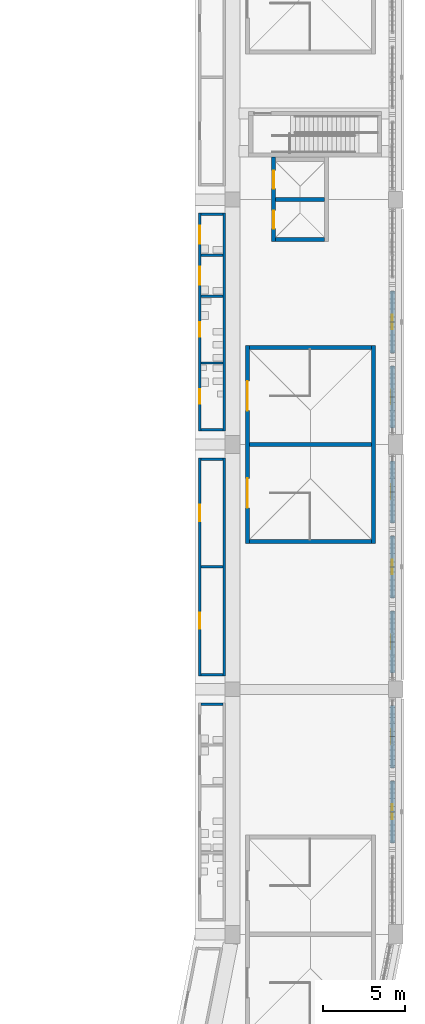
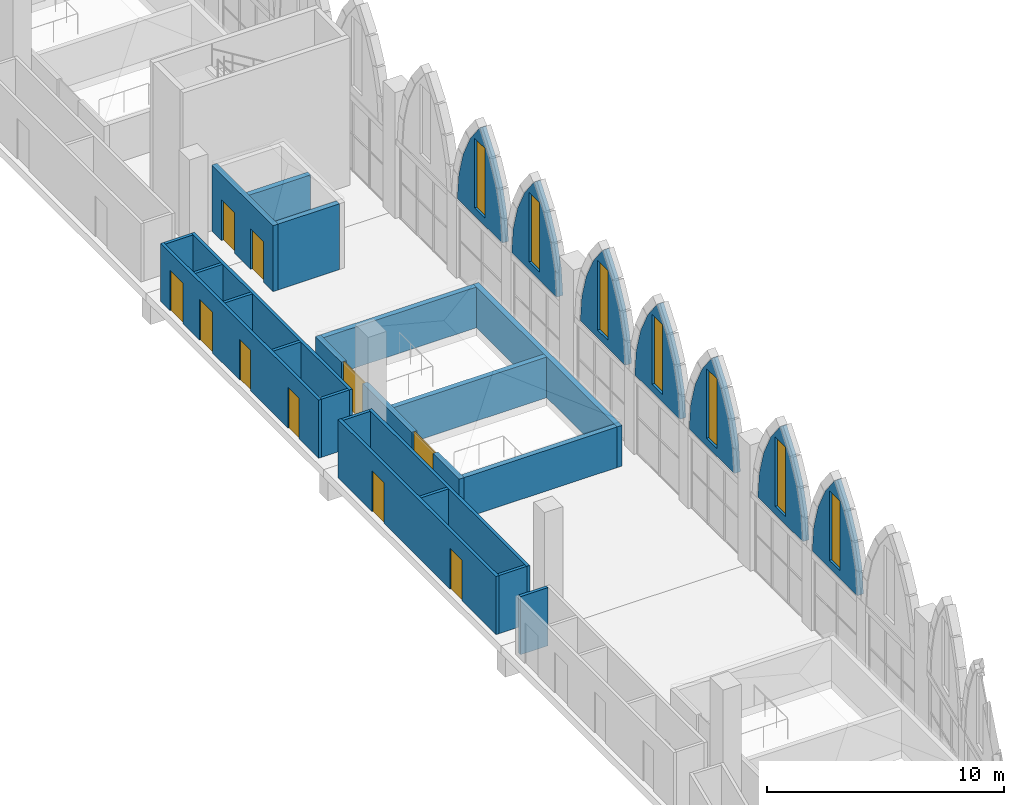
# One storey, part 74 of 130: 28 walls, 10 doors, 7 windows, 17 openings.
"""IFC4 building model written with IfcOpenShell, lengths in metres."""

from ifc_helpers import new_model, si_unit, direction, frame, frame_2d, origin, place, context, subcontext, project, spatial, polyline, rectangle, outline, extrude, material, layer, layer_set, type_object, element, fill, save


model = new_model("IFC4")

# Units and contexts
model_context = context("Model", 3, precision=1e-05, world=origin(), true_north=direction((0.0, 1.0)))
body_context = subcontext(model_context, "Body", "Model", "MODEL_VIEW")
ifc_project = project(units=[si_unit("LENGTHUNIT", "METRE"), si_unit("AREAUNIT", "SQUARE_METRE"), si_unit("VOLUMEUNIT", "CUBIC_METRE"), si_unit("PLANEANGLEUNIT", "RADIAN"), si_unit("MASSUNIT", "GRAM", prefix="KILO")], contexts=[model_context])

# Site, building, storey
site_placement = place(None, origin())
site = spatial("IfcSite", under=ifc_project, at=site_placement, CompositionType="ELEMENT")
building_placement = place(site_placement, origin())
building = spatial("IfcBuilding", under=site, at=building_placement, Name="Ogive Plaza Stadium", CompositionType="ELEMENT")
storey_placement = place(building_placement, frame((0.0, 0.0, 22.5)))
storey = spatial("IfcBuildingStorey", under=building, at=storey_placement, Name="L05", CompositionType="ELEMENT", Elevation=22.5)

# Wall, openings, doors
ifc_material_1 = material(Name="Masonry blockwork", Category="masonry")
ifc_layer_1 = layer(ifc_material_1, 0.14990234375)
ifc_layer_set_1 = layer_set([ifc_layer_1], Name="Blockwork wall 150")
wall_type_1 = type_object("IfcWallType", Name="Blockwork wall 150", PredefinedType="SOLIDWALL", material=ifc_layer_set_1)
wall_1_placement = place(storey_placement, frame((72.0, -23.324951171875, 0.0), z_axis=(0.0, 0.0, 1.0), x_axis=(0.0, -1.0, 0.0)))
wall_1 = element("IfcWall", 1, at=wall_1_placement, inside=storey, type_object=wall_type_1, Name="Wall L05 B06", PredefinedType="SOLIDWALL", context=body_context, shape_type="SweptSolid", body=[
    extrude(rectangle(XDim=13.35009765625, YDim=0.14990234375, at=frame_2d((6.675048828125, 0.0))), origin(), (0.0, 0.0, 1.0), 3.0),
])
opening_1_placement = place(wall_1_placement, frame((2.875, 0.0, 0.0)))
opening_1 = element("IfcOpeningElement", 2, at=opening_1_placement, cuts=wall_1, Name="Opening D0933", PredefinedType="OPENING", context=body_context, shape_type="SweptSolid", body=[
    extrude(rectangle(XDim=1.0, YDim=2.10009765625, at=frame_2d((0.5, 1.050048828125))), frame((0.0, 0.074951171875, 0.0), z_axis=(0.0, -1.0, 0.0), x_axis=(1.0, 0.0, 0.0)), (0.0, 0.0, 1.0), 0.14990234375),
])
opening_2_placement = place(wall_1_placement, frame((9.47509765625, 0.0, 0.0)))
opening_2 = element("IfcOpeningElement", 3, at=opening_2_placement, cuts=wall_1, Name="Opening D0934", PredefinedType="OPENING", context=body_context, shape_type="SweptSolid", body=[
    extrude(rectangle(XDim=1.0, YDim=2.10009765625, at=frame_2d((0.5, 1.050048828125))), frame((0.0, 0.074951171875, 0.0), z_axis=(0.0, -1.0, 0.0), x_axis=(1.0, 0.0, 0.0)), (0.0, 0.0, 1.0), 0.14990234375),
])
ifc_material_2 = material(Name="Steel ASTM A572 Grade 50", Category="steel")
door_type_1 = type_object("IfcDoorType", Name="Door 1000 x 2100", OperationType="SINGLE_SWING_LEFT", PredefinedType="DOOR", material=ifc_material_2)
door_1_placement = place(opening_1_placement, origin())
door_1 = element("IfcDoor", 4, at=door_1_placement, inside=storey, type_object=door_type_1, Name="Concession Stand B06 door", OperationType="SINGLE_SWING_LEFT", OverallHeight=2.10009765625, OverallWidth=1.0, PredefinedType="DOOR", context=body_context, shape_type="SweptSolid", body=[
    extrude(rectangle(XDim=1.0, YDim=2.10009765625, at=frame_2d((0.5, 1.050048828125))), frame((0.0, 0.02490234375, 0.0), z_axis=(0.0, -1.0, 0.0), x_axis=(1.0, 0.0, 0.0)), (0.0, 0.0, 1.0), 0.050048828125),
])
fill(opening_1, door_1)
door_2_placement = place(opening_2_placement, origin())
door_2 = element("IfcDoor", 5, at=door_2_placement, inside=storey, type_object=door_type_1, Name="Concession Stand B06 door", OperationType="SINGLE_SWING_RIGHT", OverallHeight=2.10009765625, OverallWidth=1.0, PredefinedType="DOOR", context=body_context, shape_type="SweptSolid", body=[
    extrude(rectangle(XDim=1.0, YDim=2.10009765625, at=frame_2d((0.5, 1.050048828125))), frame((0.0, 0.02490234375, 0.0), z_axis=(0.0, -1.0, 0.0), x_axis=(1.0, 0.0, 0.0)), (0.0, 0.0, 1.0), 0.050048828125),
])
fill(opening_2, door_2)

# Walls
wall_2_placement = place(storey_placement, frame((73.5, -23.324951171875, 0.0), z_axis=(0.0, 0.0, 1.0), x_axis=(0.0, -1.0, 0.0)))
element("IfcWall", 6, at=wall_2_placement, inside=storey, type_object=wall_type_1, Name="Wall L05 B06", PredefinedType="SOLIDWALL", context=body_context, shape_type="SweptSolid", body=[
    extrude(rectangle(XDim=13.35009765625, YDim=0.14990234375, at=frame_2d((6.675048828125, 0.0))), origin(), (0.0, 0.0, 1.0), 3.0),
])
for number, where, z_axis, x_axis, name in (
    (7, (72.074951171875, -23.39990234375, 0.0), (0.0, 0.0, 1.0), (1.0, 0.0, 0.0), "Wall L05 B06"),
    (8, (72.074951171875, -30.0, 0.0), (0.0, 0.0, 1.0), (1.0, 0.0, 0.0), "Wall L05 B06"),
    (9, (72.074951171875, -36.60009765625, 0.0), (0.0, 0.0, 1.0), (1.0, 0.0, 0.0), "Wall L05 B06"),
):
    element("IfcWall", number, at=place(storey_placement, frame(where, z_axis=z_axis, x_axis=x_axis)), inside=storey, type_object=wall_type_1, Name=name, PredefinedType="SOLIDWALL", context=body_context, shape_type="SweptSolid", body=[
        extrude(rectangle(XDim=1.35009765625, YDim=0.14990234375, at=frame_2d((0.675048828125, 0.0))), origin(), (0.0, 0.0, 1.0), 3.0),
    ])

# Wall, openings, doors
ifc_material_3 = material(Name="Concrete C40/50", Category="concrete")
ifc_layer_2 = layer(ifc_material_3, 0.25)
ifc_layer_set_2 = layer_set([ifc_layer_2], Name="Concrete C40/50")
wall_type_2 = type_object("IfcWallType", Name="Core wall 250", PredefinedType="SHEAR", material=ifc_layer_set_2)
wall_3_placement = place(storey_placement, frame((74.925048828125, -28.574951171875, 0.0), z_axis=(0.0, 0.0, 1.0), x_axis=(0.0, 1.0, 0.0)))
wall_3 = element("IfcWall", 10, at=wall_3_placement, inside=storey, type_object=wall_type_2, Name="Stair core R06 inner wall", PredefinedType="SHEAR", context=body_context, shape_type="SweptSolid", body=[
    extrude(rectangle(XDim=12.14990234375, YDim=0.25, at=frame_2d((6.074951171875, 0.0))), origin(), (0.0, 0.0, 1.0), 2.10009765625),
])
opening_3_placement = place(wall_3_placement, frame((2.199951171875, 0.0, 0.0)))
opening_3 = element("IfcOpeningElement", 11, at=opening_3_placement, cuts=wall_3, Name="Opening D0079", PredefinedType="OPENING", context=body_context, shape_type="SweptSolid", body=[
    extrude(rectangle(XDim=1.800048828125, YDim=2.10009765625, at=frame_2d((0.89990234375, 1.050048828125))), frame((0.0, 0.125, 0.0), z_axis=(0.0, -1.0, 0.0), x_axis=(1.0, 0.0, 0.0)), (0.0, 0.0, 1.0), 0.25),
])
opening_4_placement = place(wall_3_placement, frame((8.14990234375, 0.0, 0.0)))
opening_4 = element("IfcOpeningElement", 12, at=opening_4_placement, cuts=wall_3, Name="Opening D0080", PredefinedType="OPENING", context=body_context, shape_type="SweptSolid", body=[
    extrude(rectangle(XDim=1.800048828125, YDim=2.10009765625, at=frame_2d((0.89990234375, 1.050048828125))), frame((0.0, 0.125, 0.0), z_axis=(0.0, -1.0, 0.0), x_axis=(1.0, 0.0, 0.0)), (0.0, 0.0, 1.0), 0.25),
])
ifc_material_4 = material(Name="Steel ASTM A572 Grade 50", Category="steel")
door_type_2 = type_object("IfcDoorType", Name="Fire door FD90 pair 1800 x 2100", OperationType="DOUBLE_DOOR_SINGLE_SWING", PredefinedType="DOOR", material=ifc_material_4)
door_3_placement = place(opening_3_placement, origin())
door_3 = element("IfcDoor", 13, at=door_3_placement, inside=storey, type_object=door_type_2, Name="Exit stair R06A door L05", OperationType="DOUBLE_DOOR_SINGLE_SWING", OverallHeight=2.10009765625, OverallWidth=1.800048828125, PredefinedType="DOOR", context=body_context, shape_type="SweptSolid", body=[
    extrude(rectangle(XDim=1.800048828125, YDim=2.10009765625, at=frame_2d((0.89990234375, 1.050048828125))), frame((0.0, 0.02490234375, 0.0), z_axis=(0.0, -1.0, 0.0), x_axis=(1.0, 0.0, 0.0)), (0.0, 0.0, 1.0), 0.050048828125),
])
fill(opening_3, door_3)
door_4_placement = place(opening_4_placement, origin())
door_4 = element("IfcDoor", 14, at=door_4_placement, inside=storey, type_object=door_type_2, Name="Exit stair R06B door L05", OperationType="DOUBLE_DOOR_SINGLE_SWING", OverallHeight=2.10009765625, OverallWidth=1.800048828125, PredefinedType="DOOR", context=body_context, shape_type="SweptSolid", body=[
    extrude(rectangle(XDim=1.800048828125, YDim=2.10009765625, at=frame_2d((0.89990234375, 1.050048828125))), frame((0.0, 0.02490234375, 0.0), z_axis=(0.0, -1.0, 0.0), x_axis=(1.0, 0.0, 0.0)), (0.0, 0.0, 1.0), 0.050048828125),
])
fill(opening_4, door_4)

# Walls
wall_4_placement = place(storey_placement, frame((82.635009765625, -28.574951171875, 0.0), z_axis=(0.0, 0.0, 1.0), x_axis=(0.0, 1.0, 0.0)))
element("IfcWall", 15, at=wall_4_placement, inside=storey, type_object=wall_type_2, Name="Stair core R06 outer wall", PredefinedType="SHEAR", context=body_context, shape_type="SweptSolid", body=[
    extrude(rectangle(XDim=12.14990234375, YDim=0.25, at=frame_2d((6.074951171875, 0.0))), origin(), (0.0, 0.0, 1.0), 2.10009765625),
])
for number, where, z_axis, x_axis, name in (
    (16, (75.050048828125, -28.449951171875, 0.0), (0.0, 0.0, 1.0), (1.0, 0.0, 0.0), "Stair core R06 side wall"),
    (17, (75.050048828125, -16.550048828125, 0.0), (0.0, 0.0, 1.0), (1.0, 0.0, 0.0), "Stair core R06 side wall"),
    (18, (75.050048828125, -22.5, 0.0), (0.0, 0.0, 1.0), (1.0, 0.0, 0.0), "Stair core R06 centre wall"),
):
    element("IfcWall", number, at=place(storey_placement, frame(where, z_axis=z_axis, x_axis=x_axis)), inside=storey, type_object=wall_type_2, Name=name, PredefinedType="SHEAR", context=body_context, shape_type="SweptSolid", body=[
        extrude(rectangle(XDim=7.4599609375, YDim=0.25, at=frame_2d((3.72998046875, 0.0))), origin(), (0.0, 0.0, 1.0), 2.10009765625),
    ])

# Wall, openings, doors
ifc_material_5 = material(Name="Concrete C40/50", Category="concrete")
ifc_layer_3 = layer(ifc_material_5, 0.25)
ifc_layer_set_3 = layer_set([ifc_layer_3], Name="Concrete C40/50")
wall_type_3 = type_object("IfcWallType", Name="Core wall 250 A", PredefinedType="SHEAR", material=ifc_layer_set_3)
wall_5_placement = place(storey_placement, frame((76.52490234375, -10.074951171875, 0.0), z_axis=(0.0, 0.0, 1.0), x_axis=(0.0, 1.0, 0.0)))
wall_5 = element("IfcWall", 19, at=wall_5_placement, inside=storey, type_object=wall_type_3, Name="Lift core LP05 landing wall", PredefinedType="SHEAR", context=body_context, shape_type="SweptSolid", body=[
    extrude(rectangle(XDim=5.175048828125, YDim=0.25, at=frame_2d((2.58740234375, 0.0))), origin(), (0.0, 0.0, 1.0), 3.39990234375),
])
opening_5_placement = place(wall_5_placement, frame((0.800048828125, 0.0, 0.0)))
opening_5 = element("IfcOpeningElement", 20, at=opening_5_placement, cuts=wall_5, Name="Opening LD019", PredefinedType="OPENING", context=body_context, shape_type="SweptSolid", body=[
    extrude(rectangle(XDim=1.10009765625, YDim=2.10009765625, at=frame_2d((0.550048828125, 1.050048828125))), frame((0.0, 0.125, 0.0), z_axis=(0.0, -1.0, 0.0), x_axis=(1.0, 0.0, 0.0)), (0.0, 0.0, 1.0), 0.25),
])
opening_6_placement = place(wall_5_placement, frame((3.25, 0.0, 0.0)))
opening_6 = element("IfcOpeningElement", 21, at=opening_6_placement, cuts=wall_5, Name="Opening LD020", PredefinedType="OPENING", context=body_context, shape_type="SweptSolid", body=[
    extrude(rectangle(XDim=1.10009765625, YDim=2.10009765625, at=frame_2d((0.550048828125, 1.050048828125))), frame((0.0, 0.125, 0.0), z_axis=(0.0, -1.0, 0.0), x_axis=(1.0, 0.0, 0.0)), (0.0, 0.0, 1.0), 0.25),
])
ifc_material_6 = material(Name="Steel ASTM A572 Grade 50", Category="steel")
door_type_3 = type_object("IfcDoorType", Name="Landing door 1100 x 2100", OperationType="SLIDING_TO_LEFT", PredefinedType="DOOR", material=ifc_material_6)
door_5_placement = place(opening_5_placement, origin())
door_5 = element("IfcDoor", 22, at=door_5_placement, inside=storey, type_object=door_type_3, Name="Lift landing door LP05 L05", OperationType="SLIDING_TO_LEFT", OverallHeight=2.10009765625, OverallWidth=1.10009765625, PredefinedType="DOOR", context=body_context, shape_type="SweptSolid", body=[
    extrude(rectangle(XDim=1.10009765625, YDim=2.10009765625, at=frame_2d((0.550048828125, 1.050048828125))), frame((0.0, 0.02490234375, 0.0), z_axis=(0.0, -1.0, 0.0), x_axis=(1.0, 0.0, 0.0)), (0.0, 0.0, 1.0), 0.050048828125),
])
fill(opening_5, door_5)
door_6_placement = place(opening_6_placement, origin())
door_6 = element("IfcDoor", 23, at=door_6_placement, inside=storey, type_object=door_type_3, Name="Lift landing door LP05 L05", OperationType="SLIDING_TO_LEFT", OverallHeight=2.10009765625, OverallWidth=1.10009765625, PredefinedType="DOOR", context=body_context, shape_type="SweptSolid", body=[
    extrude(rectangle(XDim=1.10009765625, YDim=2.10009765625, at=frame_2d((0.550048828125, 1.050048828125))), frame((0.0, 0.02490234375, 0.0), z_axis=(0.0, -1.0, 0.0), x_axis=(1.0, 0.0, 0.0)), (0.0, 0.0, 1.0), 0.050048828125),
])
fill(opening_6, door_6)

# Walls
for number, where, z_axis, x_axis, name in (
    (24, (76.64990234375, -9.949951171875, 0.0), (0.0, 0.0, 1.0), (1.0, 0.0, 0.0), "Lift core LP05 side wall"),
    (25, (76.64990234375, -7.5, 0.0), (0.0, 0.0, 1.0), (1.0, 0.0, 0.0), "Lift core LP05 centre wall"),
):
    element("IfcWall", number, at=place(storey_placement, frame(where, z_axis=z_axis, x_axis=x_axis)), inside=storey, type_object=wall_type_3, Name=name, PredefinedType="SHEAR", context=body_context, shape_type="SweptSolid", body=[
        extrude(rectangle(XDim=3.0, YDim=0.25, at=frame_2d((1.5, 0.0))), origin(), (0.0, 0.0, 1.0), 3.39990234375),
    ])

# Wall, openings, doors
ifc_material_7 = material(Name="Gypsum board partition", Category="gypsum")
ifc_layer_4 = layer(ifc_material_7, 0.14990234375)
ifc_layer_set_4 = layer_set([ifc_layer_4], Name="Partition 150")
wall_type_4 = type_object("IfcWallType", Name="Partition 150", PredefinedType="PARTITIONING", material=ifc_layer_set_4)
wall_6_placement = place(storey_placement, frame((72.0, -21.675048828125, 0.0), z_axis=(0.0, 0.0, 1.0), x_axis=(0.0, 1.0, 0.0)))
wall_6 = element("IfcWall", 26, at=wall_6_placement, inside=storey, type_object=wall_type_4, Name="Wall L05 B05", PredefinedType="PARTITIONING", context=body_context, shape_type="SweptSolid", body=[
    extrude(rectangle(XDim=13.35009765625, YDim=0.14990234375, at=frame_2d((6.675048828125, 0.0))), origin(), (0.0, 0.0, 1.0), 3.0),
])
opening_7_placement = place(wall_6_placement, frame((1.6708984375, 0.0, 0.0)))
opening_7 = element("IfcOpeningElement", 27, at=opening_7_placement, cuts=wall_6, Name="Opening D0929", PredefinedType="OPENING", context=body_context, shape_type="SweptSolid", body=[
    extrude(rectangle(XDim=0.89990234375, YDim=2.10009765625, at=frame_2d((0.449951171875, 1.050048828125))), frame((0.0, 0.074951171875, 0.0), z_axis=(0.0, -1.0, 0.0), x_axis=(1.0, 0.0, 0.0)), (0.0, 0.0, 1.0), 0.14990234375),
])
opening_8_placement = place(wall_6_placement, frame((5.762939453125, 0.0, 0.0)))
opening_8 = element("IfcOpeningElement", 28, at=opening_8_placement, cuts=wall_6, Name="Opening D0930", PredefinedType="OPENING", context=body_context, shape_type="SweptSolid", body=[
    extrude(rectangle(XDim=0.89990234375, YDim=2.10009765625, at=frame_2d((0.449951171875, 1.050048828125))), frame((0.0, 0.074951171875, 0.0), z_axis=(0.0, -1.0, 0.0), x_axis=(1.0, 0.0, 0.0)), (0.0, 0.0, 1.0), 0.14990234375),
])
opening_9_placement = place(wall_6_placement, frame((8.962890625, 0.0, 0.0)))
opening_9 = element("IfcOpeningElement", 29, at=opening_9_placement, cuts=wall_6, Name="Opening D0931", PredefinedType="OPENING", context=body_context, shape_type="SweptSolid", body=[
    extrude(rectangle(XDim=1.10009765625, YDim=2.10009765625, at=frame_2d((0.550048828125, 1.050048828125))), frame((0.0, 0.074951171875, 0.0), z_axis=(0.0, -1.0, 0.0), x_axis=(1.0, 0.0, 0.0)), (0.0, 0.0, 1.0), 0.14990234375),
])
opening_10_placement = place(wall_6_placement, frame((11.470947265625, 0.0, 0.0)))
opening_10 = element("IfcOpeningElement", 30, at=opening_10_placement, cuts=wall_6, Name="Opening D0932", PredefinedType="OPENING", context=body_context, shape_type="SweptSolid", body=[
    extrude(rectangle(XDim=1.10009765625, YDim=2.10009765625, at=frame_2d((0.550048828125, 1.050048828125))), frame((0.0, 0.074951171875, 0.0), z_axis=(0.0, -1.0, 0.0), x_axis=(1.0, 0.0, 0.0)), (0.0, 0.0, 1.0), 0.14990234375),
])
ifc_material_8 = material(Name="Steel ASTM A572 Grade 50", Category="steel")
door_type_4 = type_object("IfcDoorType", Name="Accessible door 1100 x 2100", OperationType="SINGLE_SWING_LEFT", PredefinedType="DOOR", material=ifc_material_8)
door_7_placement = place(opening_9_placement, origin())
door_7 = element("IfcDoor", 31, at=door_7_placement, inside=storey, type_object=door_type_4, Name="Accessible WC B05 door", OperationType="SINGLE_SWING_RIGHT", OverallHeight=2.10009765625, OverallWidth=1.10009765625, PredefinedType="DOOR", context=body_context, shape_type="SweptSolid", body=[
    extrude(rectangle(XDim=1.10009765625, YDim=2.10009765625, at=frame_2d((0.550048828125, 1.050048828125))), frame((0.0, 0.02490234375, 0.0), z_axis=(0.0, -1.0, 0.0), x_axis=(1.0, 0.0, 0.0)), (0.0, 0.0, 1.0), 0.050048828125),
])
fill(opening_9, door_7)
door_8_placement = place(opening_10_placement, origin())
door_8 = element("IfcDoor", 32, at=door_8_placement, inside=storey, type_object=door_type_4, Name="Family WC B05 door", OperationType="SINGLE_SWING_LEFT", OverallHeight=2.10009765625, OverallWidth=1.10009765625, PredefinedType="DOOR", context=body_context, shape_type="SweptSolid", body=[
    extrude(rectangle(XDim=1.10009765625, YDim=2.10009765625, at=frame_2d((0.550048828125, 1.050048828125))), frame((0.0, 0.02490234375, 0.0), z_axis=(0.0, -1.0, 0.0), x_axis=(1.0, 0.0, 0.0)), (0.0, 0.0, 1.0), 0.050048828125),
])
fill(opening_10, door_8)
ifc_material_9 = material(Name="Steel ASTM A572 Grade 50", Category="steel")
door_type_5 = type_object("IfcDoorType", Name="Door 900 x 2100", OperationType="SINGLE_SWING_LEFT", PredefinedType="DOOR", material=ifc_material_9)
door_9_placement = place(opening_7_placement, origin())
door_9 = element("IfcDoor", 33, at=door_9_placement, inside=storey, type_object=door_type_5, Name="Men's Toilet B05 door", OperationType="SINGLE_SWING_RIGHT", OverallHeight=2.10009765625, OverallWidth=0.89990234375, PredefinedType="DOOR", context=body_context, shape_type="SweptSolid", body=[
    extrude(rectangle(XDim=0.89990234375, YDim=2.10009765625, at=frame_2d((0.449951171875, 1.050048828125))), frame((0.0, 0.02490234375, 0.0), z_axis=(0.0, -1.0, 0.0), x_axis=(1.0, 0.0, 0.0)), (0.0, 0.0, 1.0), 0.050048828125),
])
fill(opening_7, door_9)
door_10_placement = place(opening_8_placement, origin())
door_10 = element("IfcDoor", 34, at=door_10_placement, inside=storey, type_object=door_type_5, Name="Women's Toilet B05 door", OperationType="SINGLE_SWING_LEFT", OverallHeight=2.10009765625, OverallWidth=0.89990234375, PredefinedType="DOOR", context=body_context, shape_type="SweptSolid", body=[
    extrude(rectangle(XDim=0.89990234375, YDim=2.10009765625, at=frame_2d((0.449951171875, 1.050048828125))), frame((0.0, 0.02490234375, 0.0), z_axis=(0.0, -1.0, 0.0), x_axis=(1.0, 0.0, 0.0)), (0.0, 0.0, 1.0), 0.050048828125),
])
fill(opening_8, door_10)

# Walls
wall_7_placement = place(storey_placement, frame((73.5, -21.675048828125, 0.0), z_axis=(0.0, 0.0, 1.0), x_axis=(0.0, 1.0, 0.0)))
element("IfcWall", 35, at=wall_7_placement, inside=storey, type_object=wall_type_4, Name="Wall L05 B05", PredefinedType="PARTITIONING", context=body_context, shape_type="SweptSolid", body=[
    extrude(rectangle(XDim=13.35009765625, YDim=0.14990234375, at=frame_2d((6.675048828125, 0.0))), origin(), (0.0, 0.0, 1.0), 3.0),
])
for number, where, z_axis, x_axis, name in (
    (36, (72.074951171875, -21.60009765625, 0.0), (0.0, 0.0, 1.0), (1.0, 0.0, 0.0), "Wall L05 B05"),
    (37, (72.074951171875, -17.508056640625, 0.0), (0.0, 0.0, 1.0), (1.0, 0.0, 0.0), "Wall L05 B05"),
    (38, (72.074951171875, -13.416015625, 0.0), (0.0, 0.0, 1.0), (1.0, 0.0, 0.0), "Wall L05 B05"),
    (39, (72.074951171875, -10.907958984375, 0.0), (0.0, 0.0, 1.0), (1.0, 0.0, 0.0), "Wall L05 B05"),
    (40, (72.074951171875, -8.39990234375, 0.0), (0.0, 0.0, 1.0), (1.0, 0.0, 0.0), "Wall L05 B05"),
    (41, (72.074951171875, -38.39990234375, 0.0), (0.0, 0.0, 1.0), (1.0, 0.0, 0.0), "Wall L05 B07"),
):
    element("IfcWall", number, at=place(storey_placement, frame(where, z_axis=z_axis, x_axis=x_axis)), inside=storey, type_object=wall_type_4, Name=name, PredefinedType="PARTITIONING", context=body_context, shape_type="SweptSolid", body=[
        extrude(rectangle(XDim=1.35009765625, YDim=0.14990234375, at=frame_2d((0.675048828125, 0.0))), origin(), (0.0, 0.0, 1.0), 3.0),
    ])

# Wall, opening, window
ifc_material_10 = material(Name="Concrete C45/55 precast", Category="concrete")
ifc_layer_5 = layer(ifc_material_10, 0.25)
ifc_material_11 = material(Name="Cast stone (reconstituted limestone)", Category="masonry")
ifc_layer_6 = layer(ifc_material_11, 0.050048828125)
ifc_layer_set_5 = layer_set([ifc_layer_5, ifc_layer_6], Name="Concrete C45/55 precast, cast stone facing")
wall_type_5 = type_object("IfcWallType", Name="Tympanum wall 300", PredefinedType="SOLIDWALL", material=ifc_layer_set_5)
wall_8_placement = place(storey_placement, frame((83.800048828125, -13.10009765625, 4.10009765625), z_axis=(0.0, 0.0, 1.0), x_axis=(0.0, -1.0, 0.0)))
wall_8 = element("IfcWall", 42, at=wall_8_placement, inside=storey, type_object=wall_type_5, Name="TYMPANUM B05 2", PredefinedType="SOLIDWALL", context=body_context, shape_type="SweptSolid", body=[
    extrude(outline(polyline([(0.0, 0.0), (3.7998046875, 0.0), (3.800048828125, 0.0498046875), (3.67578125, 1.313720703125), (3.3076171875, 2.5810546875), (2.708740234375, 3.757080078125), (1.89990234375, 4.7998046875), (1.09130859375, 3.757080078125), (0.4921875, 2.5810546875), (0.124267578125, 1.313720703125), (0.0, 0.0498046875), (0.0, 0.0)])), frame((0.0, 0.14990234375, 0.0), z_axis=(0.0, -1.0, 0.0), x_axis=(1.0, 0.0, 0.0)), (0.0, 0.0, 1.0), 0.300048828125),
])
opening_11_placement = place(wall_8_placement, frame((1.449951171875, 0.0, 0.39990234375)))
opening_11 = element("IfcOpeningElement", 43, at=opening_11_placement, cuts=wall_8, Name="Opening W-05-2", PredefinedType="OPENING", context=body_context, shape_type="SweptSolid", body=[
    extrude(rectangle(XDim=0.89990234375, YDim=3.60009765625, at=frame_2d((0.449951171875, 1.800048828125))), frame((0.0, 0.16015625, 0.0), z_axis=(0.0, -1.0, 0.0), x_axis=(1.0, 0.0, 0.0)), (0.0, 0.0, 1.0), 0.320068359375),
])
ifc_material_12 = material(Name="Bronze-anodised aluminium and laminated glass", Category="aluminium")
window_type = type_object("IfcWindowType", Name="Lancet window 900 x 3600", PartitioningType="SINGLE_PANEL", PredefinedType="WINDOW", material=ifc_material_12)
window_1_placement = place(opening_11_placement, origin())
window_1 = element("IfcWindow", 44, at=window_1_placement, inside=storey, type_object=window_type, Name="LANCET WINDOW B05 2", OverallHeight=3.60009765625, OverallWidth=0.89990234375, PartitioningType="SINGLE_PANEL", PredefinedType="WINDOW", context=body_context, shape_type="SweptSolid", body=[
    extrude(rectangle(XDim=0.89990234375, YDim=3.60009765625, at=frame_2d((0.449951171875, 1.800048828125))), frame((0.0, 0.030029296875, 0.0), z_axis=(0.0, -1.0, 0.0), x_axis=(1.0, 0.0, 0.0)), (0.0, 0.0, 1.0), 0.06005859375),
])
fill(opening_11, window_1)

wall_9_placement = place(storey_placement, frame((83.800048828125, -17.699951171875, 4.10009765625), z_axis=(0.0, 0.0, 1.0), x_axis=(0.0, -1.0, 0.0)))
wall_9 = element("IfcWall", 45, at=wall_9_placement, inside=storey, type_object=wall_type_5, Name="TYMPANUM B05 3", PredefinedType="SOLIDWALL", context=body_context, shape_type="SweptSolid", body=[
    extrude(outline(polyline([(0.0, 0.0), (3.800048828125, 0.0), (3.800048828125, 0.0498046875), (3.67578125, 1.313720703125), (3.3076171875, 2.5810546875), (2.708740234375, 3.757080078125), (1.89990234375, 4.7998046875), (1.09130859375, 3.757080078125), (0.4921875, 2.5810546875), (0.124267578125, 1.313720703125), (0.0, 0.0498046875), (0.0, 0.0)])), frame((0.0, 0.14990234375, 0.0), z_axis=(0.0, -1.0, 0.0), x_axis=(1.0, 0.0, 0.0)), (0.0, 0.0, 1.0), 0.300048828125),
])
opening_12_placement = place(wall_9_placement, frame((1.449951171875, 0.0, 0.39990234375)))
opening_12 = element("IfcOpeningElement", 46, at=opening_12_placement, cuts=wall_9, Name="Opening W-05-3", PredefinedType="OPENING", context=body_context, shape_type="SweptSolid", body=[
    extrude(rectangle(XDim=0.89990234375, YDim=3.60009765625, at=frame_2d((0.449951171875, 1.800048828125))), frame((0.0, 0.16015625, 0.0), z_axis=(0.0, -1.0, 0.0), x_axis=(1.0, 0.0, 0.0)), (0.0, 0.0, 1.0), 0.320068359375),
])
window_2_placement = place(opening_12_placement, origin())
window_2 = element("IfcWindow", 47, at=window_2_placement, inside=storey, type_object=window_type, Name="LANCET WINDOW B05 3", OverallHeight=3.60009765625, OverallWidth=0.89990234375, PartitioningType="SINGLE_PANEL", PredefinedType="WINDOW", context=body_context, shape_type="SweptSolid", body=[
    extrude(rectangle(XDim=0.89990234375, YDim=3.60009765625, at=frame_2d((0.449951171875, 1.800048828125))), frame((0.0, 0.030029296875, 0.0), z_axis=(0.0, -1.0, 0.0), x_axis=(1.0, 0.0, 0.0)), (0.0, 0.0, 1.0), 0.06005859375),
])
fill(opening_12, window_2)

wall_10_placement = place(storey_placement, frame((83.800048828125, -23.5, 4.10009765625), z_axis=(0.0, 0.0, 1.0), x_axis=(0.0, -1.0, 0.0)))
wall_10 = element("IfcWall", 48, at=wall_10_placement, inside=storey, type_object=wall_type_5, Name="TYMPANUM B06 1", PredefinedType="SOLIDWALL", context=body_context, shape_type="SweptSolid", body=[
    extrude(outline(polyline([(0.0, 0.0), (3.800048828125, 0.0), (3.800048828125, 0.0498046875), (3.67578125, 1.313720703125), (3.3076171875, 2.5810546875), (2.708740234375, 3.757080078125), (1.89990234375, 4.7998046875), (1.09130859375, 3.757080078125), (0.4921875, 2.5810546875), (0.124267578125, 1.313720703125), (0.0, 0.0498046875), (0.0, 0.0)])), frame((0.0, 0.14990234375, 0.0), z_axis=(0.0, -1.0, 0.0), x_axis=(1.0, 0.0, 0.0)), (0.0, 0.0, 1.0), 0.300048828125),
])
opening_13_placement = place(wall_10_placement, frame((1.449951171875, 0.0, 0.39990234375)))
opening_13 = element("IfcOpeningElement", 49, at=opening_13_placement, cuts=wall_10, Name="Opening W-06-1", PredefinedType="OPENING", context=body_context, shape_type="SweptSolid", body=[
    extrude(rectangle(XDim=0.89990234375, YDim=3.60009765625, at=frame_2d((0.449951171875, 1.800048828125))), frame((0.0, 0.16015625, 0.0), z_axis=(0.0, -1.0, 0.0), x_axis=(1.0, 0.0, 0.0)), (0.0, 0.0, 1.0), 0.320068359375),
])
window_3_placement = place(opening_13_placement, origin())
window_3 = element("IfcWindow", 50, at=window_3_placement, inside=storey, type_object=window_type, Name="LANCET WINDOW B06 1", OverallHeight=3.60009765625, OverallWidth=0.89990234375, PartitioningType="SINGLE_PANEL", PredefinedType="WINDOW", context=body_context, shape_type="SweptSolid", body=[
    extrude(rectangle(XDim=0.89990234375, YDim=3.60009765625, at=frame_2d((0.449951171875, 1.800048828125))), frame((0.0, 0.030029296875, 0.0), z_axis=(0.0, -1.0, 0.0), x_axis=(1.0, 0.0, 0.0)), (0.0, 0.0, 1.0), 0.06005859375),
])
fill(opening_13, window_3)

wall_11_placement = place(storey_placement, frame((83.800048828125, -28.10009765625, 4.10009765625), z_axis=(0.0, 0.0, 1.0), x_axis=(0.0, -1.0, 0.0)))
wall_11 = element("IfcWall", 51, at=wall_11_placement, inside=storey, type_object=wall_type_5, Name="TYMPANUM B06 2", PredefinedType="SOLIDWALL", context=body_context, shape_type="SweptSolid", body=[
    extrude(outline(polyline([(0.0, 0.0), (3.7998046875, 0.0), (3.800048828125, 0.0498046875), (3.67578125, 1.313720703125), (3.3076171875, 2.5810546875), (2.708740234375, 3.757080078125), (1.89990234375, 4.7998046875), (1.09130859375, 3.757080078125), (0.4921875, 2.5810546875), (0.124267578125, 1.313720703125), (0.0, 0.0498046875), (0.0, 0.0)])), frame((0.0, 0.14990234375, 0.0), z_axis=(0.0, -1.0, 0.0), x_axis=(1.0, 0.0, 0.0)), (0.0, 0.0, 1.0), 0.300048828125),
])
opening_14_placement = place(wall_11_placement, frame((1.449951171875, 0.0, 0.39990234375)))
opening_14 = element("IfcOpeningElement", 52, at=opening_14_placement, cuts=wall_11, Name="Opening W-06-2", PredefinedType="OPENING", context=body_context, shape_type="SweptSolid", body=[
    extrude(rectangle(XDim=0.89990234375, YDim=3.60009765625, at=frame_2d((0.449951171875, 1.800048828125))), frame((0.0, 0.16015625, 0.0), z_axis=(0.0, -1.0, 0.0), x_axis=(1.0, 0.0, 0.0)), (0.0, 0.0, 1.0), 0.320068359375),
])
window_4_placement = place(opening_14_placement, origin())
window_4 = element("IfcWindow", 53, at=window_4_placement, inside=storey, type_object=window_type, Name="LANCET WINDOW B06 2", OverallHeight=3.60009765625, OverallWidth=0.89990234375, PartitioningType="SINGLE_PANEL", PredefinedType="WINDOW", context=body_context, shape_type="SweptSolid", body=[
    extrude(rectangle(XDim=0.89990234375, YDim=3.60009765625, at=frame_2d((0.449951171875, 1.800048828125))), frame((0.0, 0.030029296875, 0.0), z_axis=(0.0, -1.0, 0.0), x_axis=(1.0, 0.0, 0.0)), (0.0, 0.0, 1.0), 0.06005859375),
])
fill(opening_14, window_4)

wall_12_placement = place(storey_placement, frame((83.800048828125, -32.699951171875, 4.10009765625), z_axis=(0.0, 0.0, 1.0), x_axis=(0.0, -1.0, 0.0)))
wall_12 = element("IfcWall", 54, at=wall_12_placement, inside=storey, type_object=wall_type_5, Name="TYMPANUM B06 3", PredefinedType="SOLIDWALL", context=body_context, shape_type="SweptSolid", body=[
    extrude(outline(polyline([(0.0, 0.0), (3.800048828125, 0.0), (3.800048828125, 0.0498046875), (3.67578125, 1.313720703125), (3.3076171875, 2.5810546875), (2.708740234375, 3.757080078125), (1.89990234375, 4.7998046875), (1.09130859375, 3.757080078125), (0.4921875, 2.5810546875), (0.124267578125, 1.313720703125), (0.0, 0.0498046875), (0.0, 0.0)])), frame((0.0, 0.14990234375, 0.0), z_axis=(0.0, -1.0, 0.0), x_axis=(1.0, 0.0, 0.0)), (0.0, 0.0, 1.0), 0.300048828125),
])
opening_15_placement = place(wall_12_placement, frame((1.449951171875, 0.0, 0.39990234375)))
opening_15 = element("IfcOpeningElement", 55, at=opening_15_placement, cuts=wall_12, Name="Opening W-06-3", PredefinedType="OPENING", context=body_context, shape_type="SweptSolid", body=[
    extrude(rectangle(XDim=0.89990234375, YDim=3.60009765625, at=frame_2d((0.449951171875, 1.800048828125))), frame((0.0, 0.16015625, 0.0), z_axis=(0.0, -1.0, 0.0), x_axis=(1.0, 0.0, 0.0)), (0.0, 0.0, 1.0), 0.320068359375),
])
window_5_placement = place(opening_15_placement, origin())
window_5 = element("IfcWindow", 56, at=window_5_placement, inside=storey, type_object=window_type, Name="LANCET WINDOW B06 3", OverallHeight=3.60009765625, OverallWidth=0.89990234375, PartitioningType="SINGLE_PANEL", PredefinedType="WINDOW", context=body_context, shape_type="SweptSolid", body=[
    extrude(rectangle(XDim=0.89990234375, YDim=3.60009765625, at=frame_2d((0.449951171875, 1.800048828125))), frame((0.0, 0.030029296875, 0.0), z_axis=(0.0, -1.0, 0.0), x_axis=(1.0, 0.0, 0.0)), (0.0, 0.0, 1.0), 0.06005859375),
])
fill(opening_15, window_5)

wall_13_placement = place(storey_placement, frame((83.800048828125, -38.5, 4.10009765625), z_axis=(0.0, 0.0, 1.0), x_axis=(0.0, -1.0, 0.0)))
wall_13 = element("IfcWall", 57, at=wall_13_placement, inside=storey, type_object=wall_type_5, Name="TYMPANUM B07 1", PredefinedType="SOLIDWALL", context=body_context, shape_type="SweptSolid", body=[
    extrude(outline(polyline([(0.0, 0.0), (3.800048828125, 0.0), (3.800048828125, 0.0498046875), (3.67578125, 1.313720703125), (3.3076171875, 2.5810546875), (2.708740234375, 3.757080078125), (1.89990234375, 4.7998046875), (1.09130859375, 3.757080078125), (0.4921875, 2.5810546875), (0.124267578125, 1.313720703125), (0.0, 0.0498046875), (0.0, 0.0)])), frame((0.0, 0.14990234375, 0.0), z_axis=(0.0, -1.0, 0.0), x_axis=(1.0, 0.0, 0.0)), (0.0, 0.0, 1.0), 0.300048828125),
])
opening_16_placement = place(wall_13_placement, frame((1.449951171875, 0.0, 0.39990234375)))
opening_16 = element("IfcOpeningElement", 58, at=opening_16_placement, cuts=wall_13, Name="Opening W-07-1", PredefinedType="OPENING", context=body_context, shape_type="SweptSolid", body=[
    extrude(rectangle(XDim=0.89990234375, YDim=3.60009765625, at=frame_2d((0.449951171875, 1.800048828125))), frame((0.0, 0.16015625, 0.0), z_axis=(0.0, -1.0, 0.0), x_axis=(1.0, 0.0, 0.0)), (0.0, 0.0, 1.0), 0.320068359375),
])
window_6_placement = place(opening_16_placement, origin())
window_6 = element("IfcWindow", 59, at=window_6_placement, inside=storey, type_object=window_type, Name="LANCET WINDOW B07 1", OverallHeight=3.60009765625, OverallWidth=0.89990234375, PartitioningType="SINGLE_PANEL", PredefinedType="WINDOW", context=body_context, shape_type="SweptSolid", body=[
    extrude(rectangle(XDim=0.89990234375, YDim=3.60009765625, at=frame_2d((0.449951171875, 1.800048828125))), frame((0.0, 0.030029296875, 0.0), z_axis=(0.0, -1.0, 0.0), x_axis=(1.0, 0.0, 0.0)), (0.0, 0.0, 1.0), 0.06005859375),
])
fill(opening_16, window_6)

wall_14_placement = place(storey_placement, frame((83.800048828125, -43.10009765625, 4.10009765625), z_axis=(0.0, 0.0, 1.0), x_axis=(0.0, -1.0, 0.0)))
wall_14 = element("IfcWall", 60, at=wall_14_placement, inside=storey, type_object=wall_type_5, Name="TYMPANUM B07 2", PredefinedType="SOLIDWALL", context=body_context, shape_type="SweptSolid", body=[
    extrude(outline(polyline([(0.0, 0.0), (3.7998046875, 0.0), (3.800048828125, 0.0498046875), (3.67578125, 1.313720703125), (3.3076171875, 2.5810546875), (2.708740234375, 3.757080078125), (1.89990234375, 4.7998046875), (1.09130859375, 3.757080078125), (0.4921875, 2.5810546875), (0.124267578125, 1.313720703125), (0.0, 0.0498046875), (0.0, 0.0)])), frame((0.0, 0.14990234375, 0.0), z_axis=(0.0, -1.0, 0.0), x_axis=(1.0, 0.0, 0.0)), (0.0, 0.0, 1.0), 0.300048828125),
])
opening_17_placement = place(wall_14_placement, frame((1.449951171875, 0.0, 0.39990234375)))
opening_17 = element("IfcOpeningElement", 61, at=opening_17_placement, cuts=wall_14, Name="Opening W-07-2", PredefinedType="OPENING", context=body_context, shape_type="SweptSolid", body=[
    extrude(rectangle(XDim=0.89990234375, YDim=3.60009765625, at=frame_2d((0.449951171875, 1.800048828125))), frame((0.0, 0.16015625, 0.0), z_axis=(0.0, -1.0, 0.0), x_axis=(1.0, 0.0, 0.0)), (0.0, 0.0, 1.0), 0.320068359375),
])
window_7_placement = place(opening_17_placement, origin())
window_7 = element("IfcWindow", 62, at=window_7_placement, inside=storey, type_object=window_type, Name="LANCET WINDOW B07 2", OverallHeight=3.60009765625, OverallWidth=0.89990234375, PartitioningType="SINGLE_PANEL", PredefinedType="WINDOW", context=body_context, shape_type="SweptSolid", body=[
    extrude(rectangle(XDim=0.89990234375, YDim=3.60009765625, at=frame_2d((0.449951171875, 1.800048828125))), frame((0.0, 0.030029296875, 0.0), z_axis=(0.0, -1.0, 0.0), x_axis=(1.0, 0.0, 0.0)), (0.0, 0.0, 1.0), 0.06005859375),
])
fill(opening_17, window_7)

save(model, "model.ifc")
